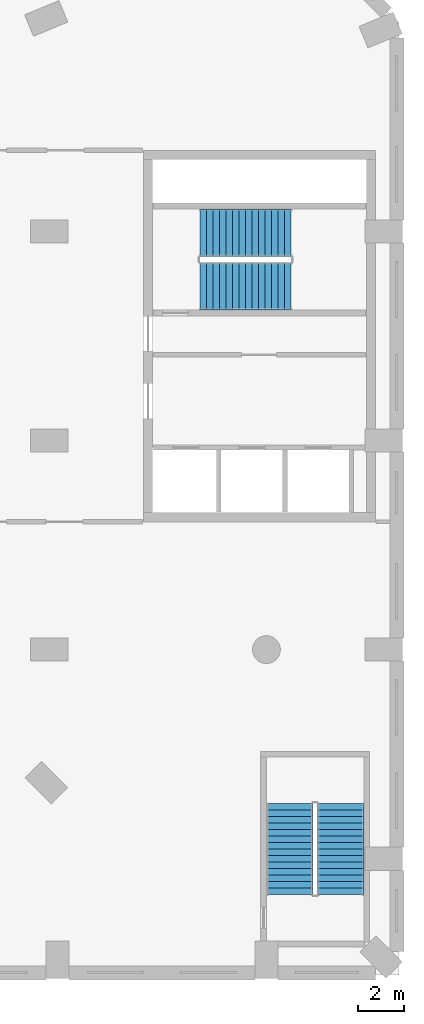
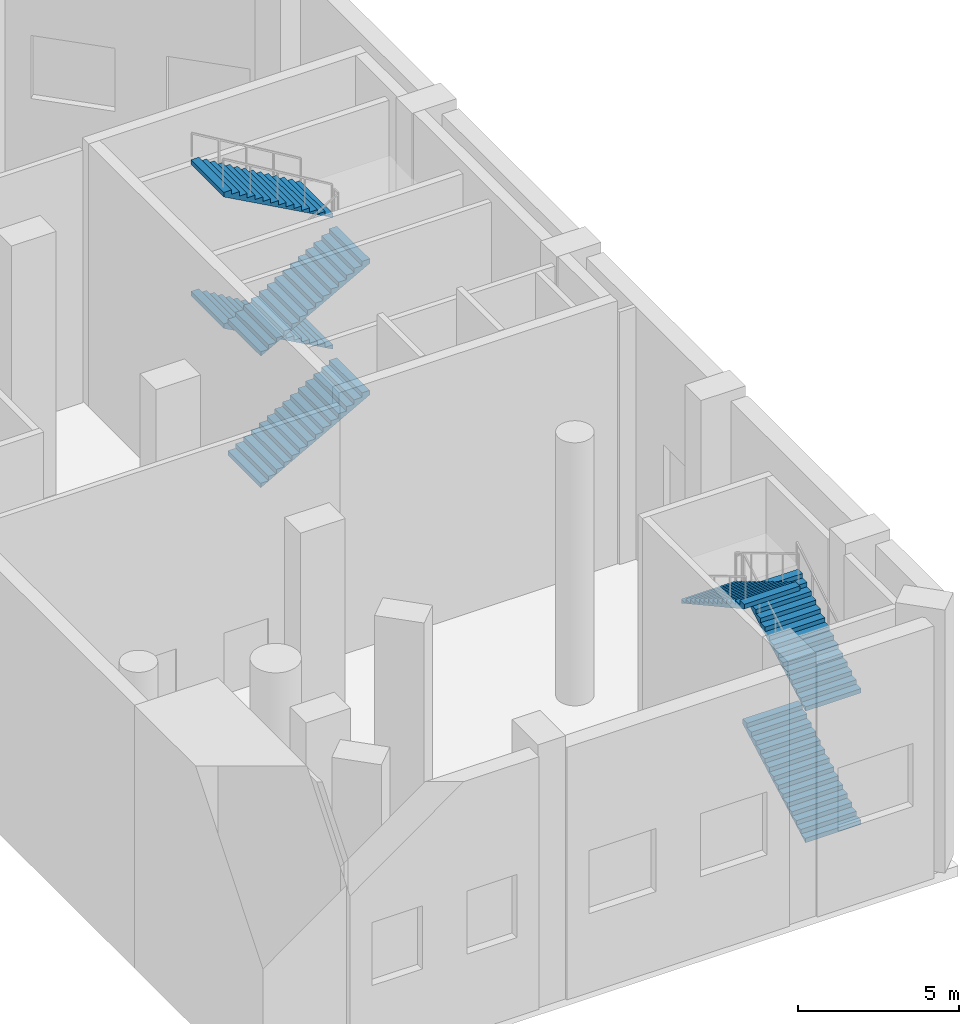
# One storey, part 12 of 16: 7 stair flights, 2 elements without a shape of their own.
"""IFC4 building model written with IfcOpenShell, lengths in metres."""

from ifc_helpers import new_model, si_unit, direction, frame, origin, place, context, subcontext, project, spatial, triangles, material, type_object, element, aggregate, save


model = new_model("IFC4")

# Units and contexts
model_context = context("Model", 3, precision=1e-05, world=origin(), true_north=direction((0.0, 1.0)))
body_context = subcontext(model_context, "Body", "Model", "MODEL_VIEW")
ifc_project = project(units=[si_unit("LENGTHUNIT", "METRE"), si_unit("AREAUNIT", "SQUARE_METRE"), si_unit("VOLUMEUNIT", "CUBIC_METRE"), si_unit("PLANEANGLEUNIT", "RADIAN"), si_unit("MASSUNIT", "GRAM", prefix="KILO")], contexts=[model_context])

# Site, building, storey
site_placement = place(None, origin())
site = spatial("IfcSite", under=ifc_project, at=site_placement, CompositionType="ELEMENT")
building_placement = place(site_placement, origin())
building = spatial("IfcBuilding", under=site, at=building_placement, Name="Cypress Arch Tower", CompositionType="ELEMENT")
storey_placement = place(building_placement, frame((0.0, 0.0, 9.0)))
storey = spatial("IfcBuildingStorey", under=building, at=storey_placement, Name="L01", CompositionType="ELEMENT", Elevation=9.0)

# Stair, stair flights
ifc_material_1 = material(Name="Concrete C40/50", Category="concrete")
stair_type_1 = type_object("IfcStairType", Name="Exit stair ES1667-200", PredefinedType="HALF_TURN_STAIR", material=ifc_material_1)
stair_1_placement = place(storey_placement, origin())
stair_1 = element("IfcStair", 1, at=stair_1_placement, inside=storey, type_object=stair_type_1, Name="L01 Exit stair P4", PredefinedType="HALF_TURN_STAIR")
ifc_material_2 = material(Name="Concrete C40/50", Category="concrete")
stair_flight_type_1 = type_object("IfcStairFlightType", Name="Exit stair flight ES1667-200", PredefinedType="STRAIGHT", material=ifc_material_2)
stair_flight_1_placement = place(storey_placement, frame((36.5, -24.050048828125, 0.0), z_axis=(0.0, 0.0, 1.0), x_axis=(0.0, 1.0, 0.0)))
stair_flight_1 = element("IfcStairFlight", 2, at=stair_flight_1_placement, type_object=stair_flight_type_1, Name="P4 flight 1", NumberOfRisers=15, NumberOfTreads=14, PredefinedType="STRAIGHT", RiserHeight=0.166666667, TreadLength=0.28, context=body_context, shape_type="Tessellation", body=[
    triangles([(0.0, -1.0, 0.0), (0.0, -1.0, 0.166748046875), (0.280029296875, -1.0, 0.166748046875), (0.280029296875, -1.0, 0.333251953125), (0.56005859375, -1.0, 0.333251953125), (0.56005859375, -1.0, 0.5), (0.840087890625, -1.0, 0.5), (0.840087890625, -1.0, 0.666748046875), (1.1201171875, -1.0, 0.666748046875), (1.1201171875, -1.0, 0.833251953125), (1.39990234375, -1.0, 0.833251953125), (1.39990234375, -1.0, 1.0), (1.679931640625, -1.0, 1.0), (1.679931640625, -1.0, 1.166748046875), (1.9599609375, -1.0, 1.166748046875), (1.9599609375, -1.0, 1.333251953125), (2.239990234375, -1.0, 1.333251953125), (2.239990234375, -1.0, 1.5), (2.52001953125, -1.0, 1.5), (2.52001953125, -1.0, 1.666748046875), (2.800048828125, -1.0, 1.666748046875), (2.800048828125, -1.0, 1.833251953125), (3.080078125, -1.0, 1.833251953125), (3.080078125, -1.0, 2.0), (3.360107421875, -1.0, 2.0), (3.360107421875, -1.0, 2.166748046875), (3.639892578125, -1.0, 2.166748046875), (3.639892578125, -1.0, 2.333251953125), (3.919921875, -1.0, 2.333251953125), (3.919921875, -1.0, 2.158935546875), (3.919921875, 1.0, 2.158935546875), (3.919921875, 1.0, 2.333251953125), (3.639892578125, 1.0, 2.333251953125), (3.639892578125, 1.0, 2.166748046875), (3.360107421875, 1.0, 2.166748046875), (3.360107421875, 1.0, 2.0), (3.080078125, 1.0, 2.0), (3.080078125, 1.0, 1.833251953125), (2.800048828125, 1.0, 1.833251953125), (2.800048828125, 1.0, 1.666748046875), (2.52001953125, 1.0, 1.666748046875), (2.52001953125, 1.0, 1.5), (2.239990234375, 1.0, 1.5), (2.239990234375, 1.0, 1.333251953125), (1.9599609375, 1.0, 1.333251953125), (1.9599609375, 1.0, 1.166748046875), (1.679931640625, 1.0, 1.166748046875), (1.679931640625, 1.0, 1.0), (1.39990234375, 1.0, 1.0), (1.39990234375, 1.0, 0.833251953125), (1.1201171875, 1.0, 0.833251953125), (1.1201171875, 1.0, 0.666748046875), (0.840087890625, 1.0, 0.666748046875), (0.840087890625, 1.0, 0.5), (0.56005859375, 1.0, 0.5), (0.56005859375, 1.0, 0.333251953125), (0.280029296875, 1.0, 0.333251953125), (0.280029296875, 1.0, 0.166748046875), (0.0, 1.0, 0.166748046875), (0.0, 1.0, 0.0)], [[30, 29, 28], [27, 26, 25], [25, 24, 23], [21, 20, 19], [19, 18, 17], [15, 14, 13], [13, 12, 11], [9, 8, 7], [7, 6, 5], [3, 2, 1], [11, 10, 9], [23, 22, 21], [17, 16, 15], [5, 4, 3], [30, 28, 27], [30, 27, 25], [30, 25, 23], [30, 23, 21], [30, 21, 19], [30, 19, 17], [30, 17, 15], [30, 15, 13], [30, 13, 11], [30, 11, 9], [30, 9, 7], [30, 7, 5], [1, 30, 5], [5, 3, 1], [31, 33, 32], [34, 36, 35], [36, 38, 37], [40, 42, 41], [42, 44, 43], [46, 48, 47], [48, 50, 49], [52, 54, 53], [54, 56, 55], [58, 60, 59], [50, 52, 51], [38, 40, 39], [44, 46, 45], [56, 58, 57], [31, 34, 33], [31, 36, 34], [31, 38, 36], [31, 40, 38], [31, 42, 40], [31, 44, 42], [31, 46, 44], [31, 48, 46], [31, 50, 48], [31, 52, 50], [31, 54, 52], [31, 56, 54], [60, 56, 31], [56, 60, 58], [31, 32, 29], [31, 29, 30], [32, 33, 28], [32, 28, 29], [33, 34, 27], [33, 27, 28], [34, 35, 26], [34, 26, 27], [35, 36, 25], [35, 25, 26], [36, 37, 24], [36, 24, 25], [37, 38, 23], [37, 23, 24], [38, 39, 22], [38, 22, 23], [39, 40, 21], [39, 21, 22], [40, 41, 20], [40, 20, 21], [41, 42, 19], [41, 19, 20], [42, 43, 18], [42, 18, 19], [43, 44, 17], [43, 17, 18], [44, 45, 16], [44, 16, 17], [45, 46, 15], [45, 15, 16], [46, 47, 14], [46, 14, 15], [47, 48, 13], [47, 13, 14], [48, 49, 12], [48, 12, 13], [49, 50, 11], [49, 11, 12], [50, 51, 10], [50, 10, 11], [51, 52, 9], [51, 9, 10], [52, 53, 8], [52, 8, 9], [53, 54, 7], [53, 7, 8], [54, 55, 6], [54, 6, 7], [55, 56, 5], [55, 5, 6], [56, 57, 4], [56, 4, 5], [57, 58, 3], [57, 3, 4], [58, 59, 2], [58, 2, 3], [59, 60, 1], [59, 1, 2], [60, 31, 30], [60, 30, 1]], closed=True),
])
stair_flight_2_placement = place(storey_placement, frame((36.5, -24.050048828125, 5.0), z_axis=(0.0, 0.0, 1.0), x_axis=(0.0, 1.0, 0.0)))
stair_flight_2 = element("IfcStairFlight", 3, at=stair_flight_2_placement, type_object=stair_flight_type_1, Name="P4 flight 3", NumberOfRisers=15, NumberOfTreads=14, PredefinedType="STRAIGHT", RiserHeight=0.166666667, TreadLength=0.28, context=body_context, shape_type="Tessellation", body=[
    triangles([(0.0, -1.0, 0.0), (0.0, -1.0, 0.166748046875), (0.280029296875, -1.0, 0.166748046875), (0.280029296875, -1.0, 0.333251953125), (0.56005859375, -1.0, 0.333251953125), (0.56005859375, -1.0, 0.5), (0.840087890625, -1.0, 0.5), (0.840087890625, -1.0, 0.666748046875), (1.1201171875, -1.0, 0.666748046875), (1.1201171875, -1.0, 0.833251953125), (1.39990234375, -1.0, 0.833251953125), (1.39990234375, -1.0, 1.0), (1.679931640625, -1.0, 1.0), (1.679931640625, -1.0, 1.166748046875), (1.9599609375, -1.0, 1.166748046875), (1.9599609375, -1.0, 1.333251953125), (2.239990234375, -1.0, 1.333251953125), (2.239990234375, -1.0, 1.5), (2.52001953125, -1.0, 1.5), (2.52001953125, -1.0, 1.666748046875), (2.800048828125, -1.0, 1.666748046875), (2.800048828125, -1.0, 1.833251953125), (3.080078125, -1.0, 1.833251953125), (3.080078125, -1.0, 2.0), (3.360107421875, -1.0, 2.0), (3.360107421875, -1.0, 2.166748046875), (3.639892578125, -1.0, 2.166748046875), (3.639892578125, -1.0, 2.333251953125), (3.919921875, -1.0, 2.333251953125), (3.919921875, -1.0, 2.158935546875), (3.919921875, 1.0, 2.158935546875), (3.919921875, 1.0, 2.333251953125), (3.639892578125, 1.0, 2.333251953125), (3.639892578125, 1.0, 2.166748046875), (3.360107421875, 1.0, 2.166748046875), (3.360107421875, 1.0, 2.0), (3.080078125, 1.0, 2.0), (3.080078125, 1.0, 1.833251953125), (2.800048828125, 1.0, 1.833251953125), (2.800048828125, 1.0, 1.666748046875), (2.52001953125, 1.0, 1.666748046875), (2.52001953125, 1.0, 1.5), (2.239990234375, 1.0, 1.5), (2.239990234375, 1.0, 1.333251953125), (1.9599609375, 1.0, 1.333251953125), (1.9599609375, 1.0, 1.166748046875), (1.679931640625, 1.0, 1.166748046875), (1.679931640625, 1.0, 1.0), (1.39990234375, 1.0, 1.0), (1.39990234375, 1.0, 0.833251953125), (1.1201171875, 1.0, 0.833251953125), (1.1201171875, 1.0, 0.666748046875), (0.840087890625, 1.0, 0.666748046875), (0.840087890625, 1.0, 0.5), (0.56005859375, 1.0, 0.5), (0.56005859375, 1.0, 0.333251953125), (0.280029296875, 1.0, 0.333251953125), (0.280029296875, 1.0, 0.166748046875), (0.0, 1.0, 0.166748046875), (0.0, 1.0, 0.0)], [[30, 29, 28], [27, 26, 25], [25, 24, 23], [21, 20, 19], [19, 18, 17], [15, 14, 13], [13, 12, 11], [9, 8, 7], [7, 6, 5], [3, 2, 1], [11, 10, 9], [23, 22, 21], [17, 16, 15], [5, 4, 3], [30, 28, 27], [30, 27, 25], [30, 25, 23], [30, 23, 21], [30, 21, 19], [30, 19, 17], [30, 17, 15], [30, 15, 13], [30, 13, 11], [30, 11, 9], [30, 9, 7], [30, 7, 5], [1, 30, 5], [5, 3, 1], [31, 33, 32], [34, 36, 35], [36, 38, 37], [40, 42, 41], [42, 44, 43], [46, 48, 47], [48, 50, 49], [52, 54, 53], [54, 56, 55], [58, 60, 59], [50, 52, 51], [38, 40, 39], [44, 46, 45], [56, 58, 57], [31, 34, 33], [31, 36, 34], [31, 38, 36], [31, 40, 38], [31, 42, 40], [31, 44, 42], [31, 46, 44], [31, 48, 46], [31, 50, 48], [31, 52, 50], [31, 54, 52], [31, 56, 54], [60, 56, 31], [56, 60, 58], [31, 32, 29], [31, 29, 30], [32, 33, 28], [32, 28, 29], [33, 34, 27], [33, 27, 28], [34, 35, 26], [34, 26, 27], [35, 36, 25], [35, 25, 26], [36, 37, 24], [36, 24, 25], [37, 38, 23], [37, 23, 24], [38, 39, 22], [38, 22, 23], [39, 40, 21], [39, 21, 22], [40, 41, 20], [40, 20, 21], [41, 42, 19], [41, 19, 20], [42, 43, 18], [42, 18, 19], [43, 44, 17], [43, 17, 18], [44, 45, 16], [44, 16, 17], [45, 46, 15], [45, 15, 16], [46, 47, 14], [46, 14, 15], [47, 48, 13], [47, 13, 14], [48, 49, 12], [48, 12, 13], [49, 50, 11], [49, 11, 12], [50, 51, 10], [50, 10, 11], [51, 52, 9], [51, 9, 10], [52, 53, 8], [52, 8, 9], [53, 54, 7], [53, 7, 8], [54, 55, 6], [54, 6, 7], [55, 56, 5], [55, 5, 6], [56, 57, 4], [56, 4, 5], [57, 58, 3], [57, 3, 4], [58, 59, 2], [58, 2, 3], [59, 60, 1], [59, 1, 2], [60, 31, 30], [60, 30, 1]], closed=True),
])
stair_flight_3_placement = place(storey_placement, frame((34.300048828125, -20.1298828125, 7.5), z_axis=(0.0, 0.0, 1.0), x_axis=(0.0, -1.0, 0.0)))
stair_flight_3 = element("IfcStairFlight", 4, at=stair_flight_3_placement, type_object=stair_flight_type_1, Name="P4 flight 4", NumberOfRisers=15, NumberOfTreads=14, PredefinedType="STRAIGHT", RiserHeight=0.166666667, TreadLength=0.28, context=body_context, shape_type="Tessellation", body=[
    triangles([(0.0, -1.0, 0.0), (0.0, -1.0, 0.166748046875), (0.280029296875, -1.0, 0.166748046875), (0.280029296875, -1.0, 0.333251953125), (0.56005859375, -1.0, 0.333251953125), (0.56005859375, -1.0, 0.5), (0.840087890625, -1.0, 0.5), (0.840087890625, -1.0, 0.666748046875), (1.1201171875, -1.0, 0.666748046875), (1.1201171875, -1.0, 0.833251953125), (1.39990234375, -1.0, 0.833251953125), (1.39990234375, -1.0, 1.0), (1.679931640625, -1.0, 1.0), (1.679931640625, -1.0, 1.166748046875), (1.9599609375, -1.0, 1.166748046875), (1.9599609375, -1.0, 1.333251953125), (2.239990234375, -1.0, 1.333251953125), (2.239990234375, -1.0, 1.5), (2.52001953125, -1.0, 1.5), (2.52001953125, -1.0, 1.666748046875), (2.800048828125, -1.0, 1.666748046875), (2.800048828125, -1.0, 1.833251953125), (3.080078125, -1.0, 1.833251953125), (3.080078125, -1.0, 2.0), (3.360107421875, -1.0, 2.0), (3.360107421875, -1.0, 2.166748046875), (3.639892578125, -1.0, 2.166748046875), (3.639892578125, -1.0, 2.333251953125), (3.919921875, -1.0, 2.333251953125), (3.919921875, -1.0, 2.158935546875), (3.919921875, 1.0, 2.158935546875), (3.919921875, 1.0, 2.333251953125), (3.639892578125, 1.0, 2.333251953125), (3.639892578125, 1.0, 2.166748046875), (3.360107421875, 1.0, 2.166748046875), (3.360107421875, 1.0, 2.0), (3.080078125, 1.0, 2.0), (3.080078125, 1.0, 1.833251953125), (2.800048828125, 1.0, 1.833251953125), (2.800048828125, 1.0, 1.666748046875), (2.52001953125, 1.0, 1.666748046875), (2.52001953125, 1.0, 1.5), (2.239990234375, 1.0, 1.5), (2.239990234375, 1.0, 1.333251953125), (1.9599609375, 1.0, 1.333251953125), (1.9599609375, 1.0, 1.166748046875), (1.679931640625, 1.0, 1.166748046875), (1.679931640625, 1.0, 1.0), (1.39990234375, 1.0, 1.0), (1.39990234375, 1.0, 0.833251953125), (1.1201171875, 1.0, 0.833251953125), (1.1201171875, 1.0, 0.666748046875), (0.840087890625, 1.0, 0.666748046875), (0.840087890625, 1.0, 0.5), (0.56005859375, 1.0, 0.5), (0.56005859375, 1.0, 0.333251953125), (0.280029296875, 1.0, 0.333251953125), (0.280029296875, 1.0, 0.166748046875), (0.0, 1.0, 0.166748046875), (0.0, 1.0, 0.0)], [[30, 29, 28], [27, 26, 25], [25, 24, 23], [21, 20, 19], [19, 18, 17], [15, 14, 13], [13, 12, 11], [9, 8, 7], [7, 6, 5], [3, 2, 1], [11, 10, 9], [23, 22, 21], [17, 16, 15], [5, 4, 3], [30, 28, 27], [30, 27, 25], [30, 25, 23], [30, 23, 21], [30, 21, 19], [30, 19, 17], [30, 17, 15], [30, 15, 13], [30, 13, 11], [30, 11, 9], [30, 9, 7], [30, 7, 5], [1, 30, 5], [5, 3, 1], [31, 33, 32], [34, 36, 35], [36, 38, 37], [40, 42, 41], [42, 44, 43], [46, 48, 47], [48, 50, 49], [52, 54, 53], [54, 56, 55], [58, 60, 59], [50, 52, 51], [38, 40, 39], [44, 46, 45], [56, 58, 57], [31, 34, 33], [31, 36, 34], [31, 38, 36], [31, 40, 38], [31, 42, 40], [31, 44, 42], [31, 46, 44], [31, 48, 46], [31, 50, 48], [31, 52, 50], [31, 54, 52], [31, 56, 54], [60, 56, 31], [56, 60, 58], [31, 32, 29], [31, 29, 30], [32, 33, 28], [32, 28, 29], [33, 34, 27], [33, 27, 28], [34, 35, 26], [34, 26, 27], [35, 36, 25], [35, 25, 26], [36, 37, 24], [36, 24, 25], [37, 38, 23], [37, 23, 24], [38, 39, 22], [38, 22, 23], [39, 40, 21], [39, 21, 22], [40, 41, 20], [40, 20, 21], [41, 42, 19], [41, 19, 20], [42, 43, 18], [42, 18, 19], [43, 44, 17], [43, 17, 18], [44, 45, 16], [44, 16, 17], [45, 46, 15], [45, 15, 16], [46, 47, 14], [46, 14, 15], [47, 48, 13], [47, 13, 14], [48, 49, 12], [48, 12, 13], [49, 50, 11], [49, 11, 12], [50, 51, 10], [50, 10, 11], [51, 52, 9], [51, 9, 10], [52, 53, 8], [52, 8, 9], [53, 54, 7], [53, 7, 8], [54, 55, 6], [54, 6, 7], [55, 56, 5], [55, 5, 6], [56, 57, 4], [56, 4, 5], [57, 58, 3], [57, 3, 4], [58, 59, 2], [58, 2, 3], [59, 60, 1], [59, 1, 2], [60, 31, 30], [60, 30, 1]], closed=True),
])
aggregate(stair_1, [stair_flight_1, stair_flight_2, stair_flight_3])

ifc_material_3 = material(Name="Concrete C40/50", Category="concrete")
stair_type_2 = type_object("IfcStairType", Name="Exit stair ES1667-205", PredefinedType="HALF_TURN_STAIR", material=ifc_material_3)
stair_2_placement = place(storey_placement, origin())
stair_2 = element("IfcStair", 5, at=stair_2_placement, inside=storey, type_object=stair_type_2, Name="L01 Exit stair P3", PredefinedType="HALF_TURN_STAIR")
ifc_material_4 = material(Name="Concrete C40/50", Category="concrete")
stair_flight_type_2 = type_object("IfcStairFlightType", Name="Exit stair flight ES1667-205", PredefinedType="STRAIGHT", material=ifc_material_4)
stair_flight_4_placement = place(storey_placement, frame((30.449951171875, 2.14990234375, 0.0), z_axis=(0.0, 0.0, 1.0), x_axis=(1.0, 0.0, 0.0)))
stair_flight_4 = element("IfcStairFlight", 6, at=stair_flight_4_placement, type_object=stair_flight_type_2, Name="P3 flight 1", NumberOfRisers=15, NumberOfTreads=14, PredefinedType="STRAIGHT", RiserHeight=0.166666667, TreadLength=0.28, context=body_context, shape_type="Tessellation", body=[
    triangles([(0.0, -1.02490234375, 0.0), (0.0, -1.02490234375, 0.166748046875), (0.280029296875, -1.02490234375, 0.166748046875), (0.280029296875, -1.02490234375, 0.333251953125), (0.56005859375, -1.02490234375, 0.333251953125), (0.56005859375, -1.02490234375, 0.5), (0.840087890625, -1.02490234375, 0.5), (0.840087890625, -1.02490234375, 0.666748046875), (1.1201171875, -1.02490234375, 0.666748046875), (1.1201171875, -1.02490234375, 0.833251953125), (1.39990234375, -1.02490234375, 0.833251953125), (1.39990234375, -1.02490234375, 1.0), (1.679931640625, -1.02490234375, 1.0), (1.679931640625, -1.02490234375, 1.166748046875), (1.9599609375, -1.02490234375, 1.166748046875), (1.9599609375, -1.02490234375, 1.333251953125), (2.239990234375, -1.02490234375, 1.333251953125), (2.239990234375, -1.02490234375, 1.5), (2.52001953125, -1.02490234375, 1.5), (2.52001953125, -1.02490234375, 1.666748046875), (2.800048828125, -1.02490234375, 1.666748046875), (2.800048828125, -1.02490234375, 1.833251953125), (3.080078125, -1.02490234375, 1.833251953125), (3.080078125, -1.02490234375, 2.0), (3.360107421875, -1.02490234375, 2.0), (3.360107421875, -1.02490234375, 2.166748046875), (3.639892578125, -1.02490234375, 2.166748046875), (3.639892578125, -1.02490234375, 2.333251953125), (3.919921875, -1.02490234375, 2.333251953125), (3.919921875, -1.02490234375, 2.158935546875), (3.919921875, 1.02490234375, 2.158935546875), (3.919921875, 1.02490234375, 2.333251953125), (3.639892578125, 1.02490234375, 2.333251953125), (3.639892578125, 1.02490234375, 2.166748046875), (3.360107421875, 1.02490234375, 2.166748046875), (3.360107421875, 1.02490234375, 2.0), (3.080078125, 1.02490234375, 2.0), (3.080078125, 1.02490234375, 1.833251953125), (2.800048828125, 1.02490234375, 1.833251953125), (2.800048828125, 1.02490234375, 1.666748046875), (2.52001953125, 1.02490234375, 1.666748046875), (2.52001953125, 1.02490234375, 1.5), (2.239990234375, 1.02490234375, 1.5), (2.239990234375, 1.02490234375, 1.333251953125), (1.9599609375, 1.02490234375, 1.333251953125), (1.9599609375, 1.02490234375, 1.166748046875), (1.679931640625, 1.02490234375, 1.166748046875), (1.679931640625, 1.02490234375, 1.0), (1.39990234375, 1.02490234375, 1.0), (1.39990234375, 1.02490234375, 0.833251953125), (1.1201171875, 1.02490234375, 0.833251953125), (1.1201171875, 1.02490234375, 0.666748046875), (0.840087890625, 1.02490234375, 0.666748046875), (0.840087890625, 1.02490234375, 0.5), (0.56005859375, 1.02490234375, 0.5), (0.56005859375, 1.02490234375, 0.333251953125), (0.280029296875, 1.02490234375, 0.333251953125), (0.280029296875, 1.02490234375, 0.166748046875), (0.0, 1.02490234375, 0.166748046875), (0.0, 1.02490234375, 0.0)], [[30, 29, 28], [27, 26, 25], [25, 24, 23], [21, 20, 19], [19, 18, 17], [15, 14, 13], [13, 12, 11], [9, 8, 7], [7, 6, 5], [3, 2, 1], [11, 10, 9], [23, 22, 21], [17, 16, 15], [5, 4, 3], [30, 28, 27], [30, 27, 25], [30, 25, 23], [30, 23, 21], [30, 21, 19], [30, 19, 17], [30, 17, 15], [30, 15, 13], [30, 13, 11], [30, 11, 9], [30, 9, 7], [30, 7, 5], [1, 30, 5], [5, 3, 1], [31, 33, 32], [34, 36, 35], [36, 38, 37], [40, 42, 41], [42, 44, 43], [46, 48, 47], [48, 50, 49], [52, 54, 53], [54, 56, 55], [58, 60, 59], [50, 52, 51], [38, 40, 39], [44, 46, 45], [56, 58, 57], [31, 34, 33], [31, 36, 34], [31, 38, 36], [31, 40, 38], [31, 42, 40], [31, 44, 42], [31, 46, 44], [31, 48, 46], [31, 50, 48], [31, 52, 50], [31, 54, 52], [31, 56, 54], [60, 56, 31], [56, 60, 58], [31, 32, 29], [31, 29, 30], [32, 33, 28], [32, 28, 29], [33, 34, 27], [33, 27, 28], [34, 35, 26], [34, 26, 27], [35, 36, 25], [35, 25, 26], [36, 37, 24], [36, 24, 25], [37, 38, 23], [37, 23, 24], [38, 39, 22], [38, 22, 23], [39, 40, 21], [39, 21, 22], [40, 41, 20], [40, 20, 21], [41, 42, 19], [41, 19, 20], [42, 43, 18], [42, 18, 19], [43, 44, 17], [43, 17, 18], [44, 45, 16], [44, 16, 17], [45, 46, 15], [45, 15, 16], [46, 47, 14], [46, 14, 15], [47, 48, 13], [47, 13, 14], [48, 49, 12], [48, 12, 13], [49, 50, 11], [49, 11, 12], [50, 51, 10], [50, 10, 11], [51, 52, 9], [51, 9, 10], [52, 53, 8], [52, 8, 9], [53, 54, 7], [53, 7, 8], [54, 55, 6], [54, 6, 7], [55, 56, 5], [55, 5, 6], [56, 57, 4], [56, 4, 5], [57, 58, 3], [57, 3, 4], [58, 59, 2], [58, 2, 3], [59, 60, 1], [59, 1, 2], [60, 31, 30], [60, 30, 1]], closed=True),
])
stair_flight_5_placement = place(storey_placement, frame((34.3701171875, 4.449951171875, 2.5), z_axis=(0.0, 0.0, 1.0), x_axis=(-1.0, 0.0, 0.0)))
stair_flight_5 = element("IfcStairFlight", 7, at=stair_flight_5_placement, type_object=stair_flight_type_2, Name="P3 flight 2", NumberOfRisers=15, NumberOfTreads=14, PredefinedType="STRAIGHT", RiserHeight=0.166666667, TreadLength=0.28, context=body_context, shape_type="Tessellation", body=[
    triangles([(0.0, -1.02490234375, 0.0), (0.0, -1.02490234375, 0.166748046875), (0.280029296875, -1.02490234375, 0.166748046875), (0.280029296875, -1.02490234375, 0.333251953125), (0.56005859375, -1.02490234375, 0.333251953125), (0.56005859375, -1.02490234375, 0.5), (0.840087890625, -1.02490234375, 0.5), (0.840087890625, -1.02490234375, 0.666748046875), (1.1201171875, -1.02490234375, 0.666748046875), (1.1201171875, -1.02490234375, 0.833251953125), (1.39990234375, -1.02490234375, 0.833251953125), (1.39990234375, -1.02490234375, 1.0), (1.679931640625, -1.02490234375, 1.0), (1.679931640625, -1.02490234375, 1.166748046875), (1.9599609375, -1.02490234375, 1.166748046875), (1.9599609375, -1.02490234375, 1.333251953125), (2.239990234375, -1.02490234375, 1.333251953125), (2.239990234375, -1.02490234375, 1.5), (2.52001953125, -1.02490234375, 1.5), (2.52001953125, -1.02490234375, 1.666748046875), (2.800048828125, -1.02490234375, 1.666748046875), (2.800048828125, -1.02490234375, 1.833251953125), (3.080078125, -1.02490234375, 1.833251953125), (3.080078125, -1.02490234375, 2.0), (3.360107421875, -1.02490234375, 2.0), (3.360107421875, -1.02490234375, 2.166748046875), (3.639892578125, -1.02490234375, 2.166748046875), (3.639892578125, -1.02490234375, 2.333251953125), (3.919921875, -1.02490234375, 2.333251953125), (3.919921875, -1.02490234375, 2.158935546875), (3.919921875, 1.02490234375, 2.158935546875), (3.919921875, 1.02490234375, 2.333251953125), (3.639892578125, 1.02490234375, 2.333251953125), (3.639892578125, 1.02490234375, 2.166748046875), (3.360107421875, 1.02490234375, 2.166748046875), (3.360107421875, 1.02490234375, 2.0), (3.080078125, 1.02490234375, 2.0), (3.080078125, 1.02490234375, 1.833251953125), (2.800048828125, 1.02490234375, 1.833251953125), (2.800048828125, 1.02490234375, 1.666748046875), (2.52001953125, 1.02490234375, 1.666748046875), (2.52001953125, 1.02490234375, 1.5), (2.239990234375, 1.02490234375, 1.5), (2.239990234375, 1.02490234375, 1.333251953125), (1.9599609375, 1.02490234375, 1.333251953125), (1.9599609375, 1.02490234375, 1.166748046875), (1.679931640625, 1.02490234375, 1.166748046875), (1.679931640625, 1.02490234375, 1.0), (1.39990234375, 1.02490234375, 1.0), (1.39990234375, 1.02490234375, 0.833251953125), (1.1201171875, 1.02490234375, 0.833251953125), (1.1201171875, 1.02490234375, 0.666748046875), (0.840087890625, 1.02490234375, 0.666748046875), (0.840087890625, 1.02490234375, 0.5), (0.56005859375, 1.02490234375, 0.5), (0.56005859375, 1.02490234375, 0.333251953125), (0.280029296875, 1.02490234375, 0.333251953125), (0.280029296875, 1.02490234375, 0.166748046875), (0.0, 1.02490234375, 0.166748046875), (0.0, 1.02490234375, 0.0)], [[30, 29, 28], [27, 26, 25], [25, 24, 23], [21, 20, 19], [19, 18, 17], [15, 14, 13], [13, 12, 11], [9, 8, 7], [7, 6, 5], [3, 2, 1], [11, 10, 9], [23, 22, 21], [17, 16, 15], [5, 4, 3], [30, 28, 27], [30, 27, 25], [30, 25, 23], [30, 23, 21], [30, 21, 19], [30, 19, 17], [30, 17, 15], [30, 15, 13], [30, 13, 11], [30, 11, 9], [30, 9, 7], [30, 7, 5], [1, 30, 5], [5, 3, 1], [31, 33, 32], [34, 36, 35], [36, 38, 37], [40, 42, 41], [42, 44, 43], [46, 48, 47], [48, 50, 49], [52, 54, 53], [54, 56, 55], [58, 60, 59], [50, 52, 51], [38, 40, 39], [44, 46, 45], [56, 58, 57], [31, 34, 33], [31, 36, 34], [31, 38, 36], [31, 40, 38], [31, 42, 40], [31, 44, 42], [31, 46, 44], [31, 48, 46], [31, 50, 48], [31, 52, 50], [31, 54, 52], [31, 56, 54], [60, 56, 31], [56, 60, 58], [31, 32, 29], [31, 29, 30], [32, 33, 28], [32, 28, 29], [33, 34, 27], [33, 27, 28], [34, 35, 26], [34, 26, 27], [35, 36, 25], [35, 25, 26], [36, 37, 24], [36, 24, 25], [37, 38, 23], [37, 23, 24], [38, 39, 22], [38, 22, 23], [39, 40, 21], [39, 21, 22], [40, 41, 20], [40, 20, 21], [41, 42, 19], [41, 19, 20], [42, 43, 18], [42, 18, 19], [43, 44, 17], [43, 17, 18], [44, 45, 16], [44, 16, 17], [45, 46, 15], [45, 15, 16], [46, 47, 14], [46, 14, 15], [47, 48, 13], [47, 13, 14], [48, 49, 12], [48, 12, 13], [49, 50, 11], [49, 11, 12], [50, 51, 10], [50, 10, 11], [51, 52, 9], [51, 9, 10], [52, 53, 8], [52, 8, 9], [53, 54, 7], [53, 7, 8], [54, 55, 6], [54, 6, 7], [55, 56, 5], [55, 5, 6], [56, 57, 4], [56, 4, 5], [57, 58, 3], [57, 3, 4], [58, 59, 2], [58, 2, 3], [59, 60, 1], [59, 1, 2], [60, 31, 30], [60, 30, 1]], closed=True),
])
stair_flight_6_placement = place(storey_placement, frame((30.449951171875, 2.14990234375, 5.0), z_axis=(0.0, 0.0, 1.0), x_axis=(1.0, 0.0, 0.0)))
stair_flight_6 = element("IfcStairFlight", 8, at=stair_flight_6_placement, type_object=stair_flight_type_2, Name="P3 flight 3", NumberOfRisers=15, NumberOfTreads=14, PredefinedType="STRAIGHT", RiserHeight=0.166666667, TreadLength=0.28, context=body_context, shape_type="Tessellation", body=[
    triangles([(0.0, -1.02490234375, 0.0), (0.0, -1.02490234375, 0.166748046875), (0.280029296875, -1.02490234375, 0.166748046875), (0.280029296875, -1.02490234375, 0.333251953125), (0.56005859375, -1.02490234375, 0.333251953125), (0.56005859375, -1.02490234375, 0.5), (0.840087890625, -1.02490234375, 0.5), (0.840087890625, -1.02490234375, 0.666748046875), (1.1201171875, -1.02490234375, 0.666748046875), (1.1201171875, -1.02490234375, 0.833251953125), (1.39990234375, -1.02490234375, 0.833251953125), (1.39990234375, -1.02490234375, 1.0), (1.679931640625, -1.02490234375, 1.0), (1.679931640625, -1.02490234375, 1.166748046875), (1.9599609375, -1.02490234375, 1.166748046875), (1.9599609375, -1.02490234375, 1.333251953125), (2.239990234375, -1.02490234375, 1.333251953125), (2.239990234375, -1.02490234375, 1.5), (2.52001953125, -1.02490234375, 1.5), (2.52001953125, -1.02490234375, 1.666748046875), (2.800048828125, -1.02490234375, 1.666748046875), (2.800048828125, -1.02490234375, 1.833251953125), (3.080078125, -1.02490234375, 1.833251953125), (3.080078125, -1.02490234375, 2.0), (3.360107421875, -1.02490234375, 2.0), (3.360107421875, -1.02490234375, 2.166748046875), (3.639892578125, -1.02490234375, 2.166748046875), (3.639892578125, -1.02490234375, 2.333251953125), (3.919921875, -1.02490234375, 2.333251953125), (3.919921875, -1.02490234375, 2.158935546875), (3.919921875, 1.02490234375, 2.158935546875), (3.919921875, 1.02490234375, 2.333251953125), (3.639892578125, 1.02490234375, 2.333251953125), (3.639892578125, 1.02490234375, 2.166748046875), (3.360107421875, 1.02490234375, 2.166748046875), (3.360107421875, 1.02490234375, 2.0), (3.080078125, 1.02490234375, 2.0), (3.080078125, 1.02490234375, 1.833251953125), (2.800048828125, 1.02490234375, 1.833251953125), (2.800048828125, 1.02490234375, 1.666748046875), (2.52001953125, 1.02490234375, 1.666748046875), (2.52001953125, 1.02490234375, 1.5), (2.239990234375, 1.02490234375, 1.5), (2.239990234375, 1.02490234375, 1.333251953125), (1.9599609375, 1.02490234375, 1.333251953125), (1.9599609375, 1.02490234375, 1.166748046875), (1.679931640625, 1.02490234375, 1.166748046875), (1.679931640625, 1.02490234375, 1.0), (1.39990234375, 1.02490234375, 1.0), (1.39990234375, 1.02490234375, 0.833251953125), (1.1201171875, 1.02490234375, 0.833251953125), (1.1201171875, 1.02490234375, 0.666748046875), (0.840087890625, 1.02490234375, 0.666748046875), (0.840087890625, 1.02490234375, 0.5), (0.56005859375, 1.02490234375, 0.5), (0.56005859375, 1.02490234375, 0.333251953125), (0.280029296875, 1.02490234375, 0.333251953125), (0.280029296875, 1.02490234375, 0.166748046875), (0.0, 1.02490234375, 0.166748046875), (0.0, 1.02490234375, 0.0)], [[30, 29, 28], [27, 26, 25], [25, 24, 23], [21, 20, 19], [19, 18, 17], [15, 14, 13], [13, 12, 11], [9, 8, 7], [7, 6, 5], [3, 2, 1], [11, 10, 9], [23, 22, 21], [17, 16, 15], [5, 4, 3], [30, 28, 27], [30, 27, 25], [30, 25, 23], [30, 23, 21], [30, 21, 19], [30, 19, 17], [30, 17, 15], [30, 15, 13], [30, 13, 11], [30, 11, 9], [30, 9, 7], [30, 7, 5], [1, 30, 5], [5, 3, 1], [31, 33, 32], [34, 36, 35], [36, 38, 37], [40, 42, 41], [42, 44, 43], [46, 48, 47], [48, 50, 49], [52, 54, 53], [54, 56, 55], [58, 60, 59], [50, 52, 51], [38, 40, 39], [44, 46, 45], [56, 58, 57], [31, 34, 33], [31, 36, 34], [31, 38, 36], [31, 40, 38], [31, 42, 40], [31, 44, 42], [31, 46, 44], [31, 48, 46], [31, 50, 48], [31, 52, 50], [31, 54, 52], [31, 56, 54], [60, 56, 31], [56, 60, 58], [31, 32, 29], [31, 29, 30], [32, 33, 28], [32, 28, 29], [33, 34, 27], [33, 27, 28], [34, 35, 26], [34, 26, 27], [35, 36, 25], [35, 25, 26], [36, 37, 24], [36, 24, 25], [37, 38, 23], [37, 23, 24], [38, 39, 22], [38, 22, 23], [39, 40, 21], [39, 21, 22], [40, 41, 20], [40, 20, 21], [41, 42, 19], [41, 19, 20], [42, 43, 18], [42, 18, 19], [43, 44, 17], [43, 17, 18], [44, 45, 16], [44, 16, 17], [45, 46, 15], [45, 15, 16], [46, 47, 14], [46, 14, 15], [47, 48, 13], [47, 13, 14], [48, 49, 12], [48, 12, 13], [49, 50, 11], [49, 11, 12], [50, 51, 10], [50, 10, 11], [51, 52, 9], [51, 9, 10], [52, 53, 8], [52, 8, 9], [53, 54, 7], [53, 7, 8], [54, 55, 6], [54, 6, 7], [55, 56, 5], [55, 5, 6], [56, 57, 4], [56, 4, 5], [57, 58, 3], [57, 3, 4], [58, 59, 2], [58, 2, 3], [59, 60, 1], [59, 1, 2], [60, 31, 30], [60, 30, 1]], closed=True),
])
stair_flight_7_placement = place(storey_placement, frame((34.3701171875, 4.449951171875, 7.5), z_axis=(0.0, 0.0, 1.0), x_axis=(-1.0, 0.0, 0.0)))
stair_flight_7 = element("IfcStairFlight", 9, at=stair_flight_7_placement, type_object=stair_flight_type_2, Name="P3 flight 4", NumberOfRisers=15, NumberOfTreads=14, PredefinedType="STRAIGHT", RiserHeight=0.166666667, TreadLength=0.28, context=body_context, shape_type="Tessellation", body=[
    triangles([(0.0, -1.02490234375, 0.0), (0.0, -1.02490234375, 0.166748046875), (0.280029296875, -1.02490234375, 0.166748046875), (0.280029296875, -1.02490234375, 0.333251953125), (0.56005859375, -1.02490234375, 0.333251953125), (0.56005859375, -1.02490234375, 0.5), (0.840087890625, -1.02490234375, 0.5), (0.840087890625, -1.02490234375, 0.666748046875), (1.1201171875, -1.02490234375, 0.666748046875), (1.1201171875, -1.02490234375, 0.833251953125), (1.39990234375, -1.02490234375, 0.833251953125), (1.39990234375, -1.02490234375, 1.0), (1.679931640625, -1.02490234375, 1.0), (1.679931640625, -1.02490234375, 1.166748046875), (1.9599609375, -1.02490234375, 1.166748046875), (1.9599609375, -1.02490234375, 1.333251953125), (2.239990234375, -1.02490234375, 1.333251953125), (2.239990234375, -1.02490234375, 1.5), (2.52001953125, -1.02490234375, 1.5), (2.52001953125, -1.02490234375, 1.666748046875), (2.800048828125, -1.02490234375, 1.666748046875), (2.800048828125, -1.02490234375, 1.833251953125), (3.080078125, -1.02490234375, 1.833251953125), (3.080078125, -1.02490234375, 2.0), (3.360107421875, -1.02490234375, 2.0), (3.360107421875, -1.02490234375, 2.166748046875), (3.639892578125, -1.02490234375, 2.166748046875), (3.639892578125, -1.02490234375, 2.333251953125), (3.919921875, -1.02490234375, 2.333251953125), (3.919921875, -1.02490234375, 2.158935546875), (3.919921875, 1.02490234375, 2.158935546875), (3.919921875, 1.02490234375, 2.333251953125), (3.639892578125, 1.02490234375, 2.333251953125), (3.639892578125, 1.02490234375, 2.166748046875), (3.360107421875, 1.02490234375, 2.166748046875), (3.360107421875, 1.02490234375, 2.0), (3.080078125, 1.02490234375, 2.0), (3.080078125, 1.02490234375, 1.833251953125), (2.800048828125, 1.02490234375, 1.833251953125), (2.800048828125, 1.02490234375, 1.666748046875), (2.52001953125, 1.02490234375, 1.666748046875), (2.52001953125, 1.02490234375, 1.5), (2.239990234375, 1.02490234375, 1.5), (2.239990234375, 1.02490234375, 1.333251953125), (1.9599609375, 1.02490234375, 1.333251953125), (1.9599609375, 1.02490234375, 1.166748046875), (1.679931640625, 1.02490234375, 1.166748046875), (1.679931640625, 1.02490234375, 1.0), (1.39990234375, 1.02490234375, 1.0), (1.39990234375, 1.02490234375, 0.833251953125), (1.1201171875, 1.02490234375, 0.833251953125), (1.1201171875, 1.02490234375, 0.666748046875), (0.840087890625, 1.02490234375, 0.666748046875), (0.840087890625, 1.02490234375, 0.5), (0.56005859375, 1.02490234375, 0.5), (0.56005859375, 1.02490234375, 0.333251953125), (0.280029296875, 1.02490234375, 0.333251953125), (0.280029296875, 1.02490234375, 0.166748046875), (0.0, 1.02490234375, 0.166748046875), (0.0, 1.02490234375, 0.0)], [[30, 29, 28], [27, 26, 25], [25, 24, 23], [21, 20, 19], [19, 18, 17], [15, 14, 13], [13, 12, 11], [9, 8, 7], [7, 6, 5], [3, 2, 1], [11, 10, 9], [23, 22, 21], [17, 16, 15], [5, 4, 3], [30, 28, 27], [30, 27, 25], [30, 25, 23], [30, 23, 21], [30, 21, 19], [30, 19, 17], [30, 17, 15], [30, 15, 13], [30, 13, 11], [30, 11, 9], [30, 9, 7], [30, 7, 5], [1, 30, 5], [5, 3, 1], [31, 33, 32], [34, 36, 35], [36, 38, 37], [40, 42, 41], [42, 44, 43], [46, 48, 47], [48, 50, 49], [52, 54, 53], [54, 56, 55], [58, 60, 59], [50, 52, 51], [38, 40, 39], [44, 46, 45], [56, 58, 57], [31, 34, 33], [31, 36, 34], [31, 38, 36], [31, 40, 38], [31, 42, 40], [31, 44, 42], [31, 46, 44], [31, 48, 46], [31, 50, 48], [31, 52, 50], [31, 54, 52], [31, 56, 54], [60, 56, 31], [56, 60, 58], [31, 32, 29], [31, 29, 30], [32, 33, 28], [32, 28, 29], [33, 34, 27], [33, 27, 28], [34, 35, 26], [34, 26, 27], [35, 36, 25], [35, 25, 26], [36, 37, 24], [36, 24, 25], [37, 38, 23], [37, 23, 24], [38, 39, 22], [38, 22, 23], [39, 40, 21], [39, 21, 22], [40, 41, 20], [40, 20, 21], [41, 42, 19], [41, 19, 20], [42, 43, 18], [42, 18, 19], [43, 44, 17], [43, 17, 18], [44, 45, 16], [44, 16, 17], [45, 46, 15], [45, 15, 16], [46, 47, 14], [46, 14, 15], [47, 48, 13], [47, 13, 14], [48, 49, 12], [48, 12, 13], [49, 50, 11], [49, 11, 12], [50, 51, 10], [50, 10, 11], [51, 52, 9], [51, 9, 10], [52, 53, 8], [52, 8, 9], [53, 54, 7], [53, 7, 8], [54, 55, 6], [54, 6, 7], [55, 56, 5], [55, 5, 6], [56, 57, 4], [56, 4, 5], [57, 58, 3], [57, 3, 4], [58, 59, 2], [58, 2, 3], [59, 60, 1], [59, 1, 2], [60, 31, 30], [60, 30, 1]], closed=True),
])
aggregate(stair_2, [stair_flight_4, stair_flight_5, stair_flight_6, stair_flight_7])

save(model, "model.ifc")
